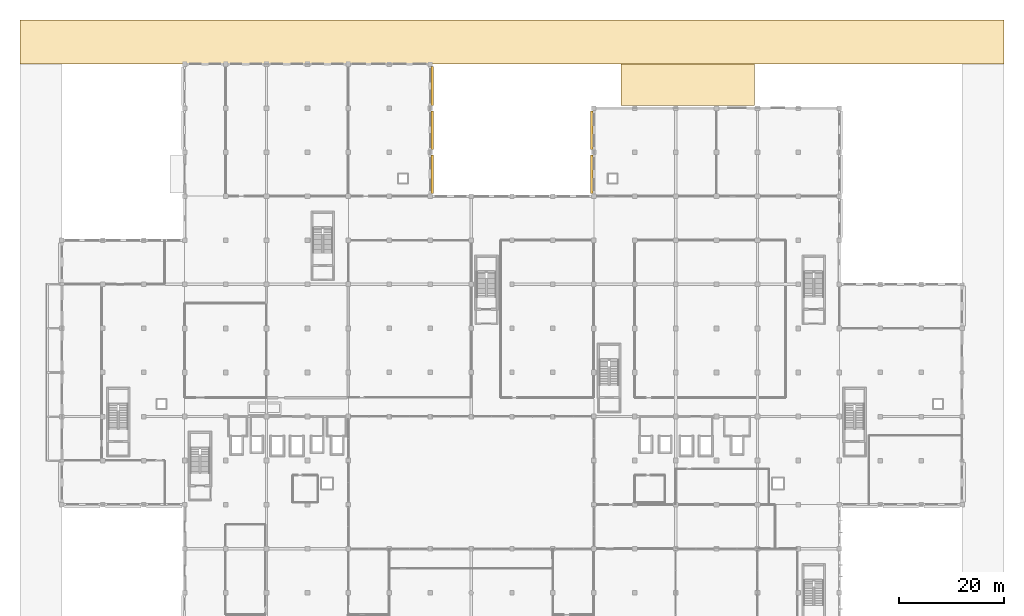
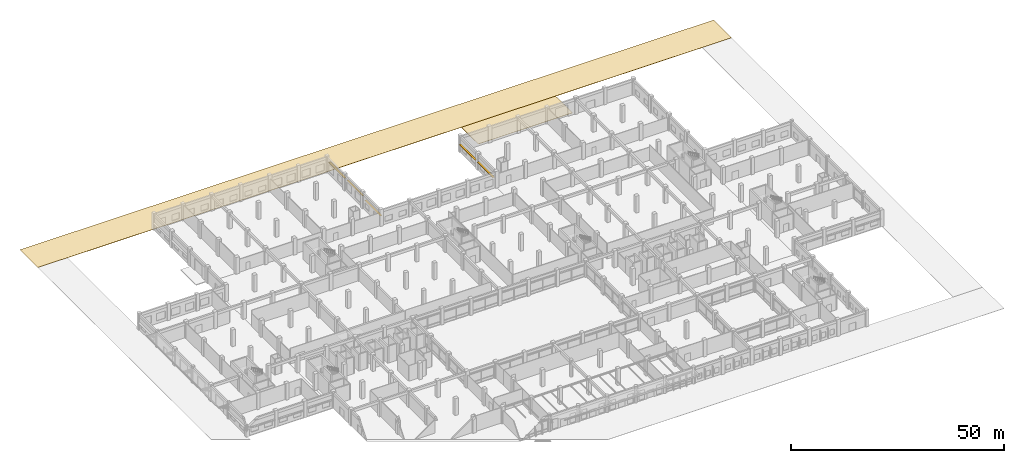
# One storey, part 70 of 74: 5 shading devices, 2 coverings.
"""IFC4 building model written with IfcOpenShell, lengths in metres."""

from ifc_helpers import new_model, si_unit, direction, frame, origin, origin_2d, place, context, subcontext, project, spatial, polyline, rectangle, outline, extrude, material, layer, layer_set, type_object, element, save


model = new_model("IFC4")

# Units and contexts
model_context = context("Model", 3, precision=1e-05, world=origin(), true_north=direction((0.0, 1.0)))
body_context = subcontext(model_context, "Body", "Model", "MODEL_VIEW")
ifc_project = project(units=[si_unit("LENGTHUNIT", "METRE"), si_unit("AREAUNIT", "SQUARE_METRE"), si_unit("VOLUMEUNIT", "CUBIC_METRE"), si_unit("PLANEANGLEUNIT", "RADIAN"), si_unit("MASSUNIT", "GRAM", prefix="KILO"), si_unit("THERMODYNAMICTEMPERATUREUNIT", "KELVIN"), si_unit("POWERUNIT", "WATT")], contexts=[model_context])

# Site, building, storey
site_placement = place(None, origin())
site = spatial("IfcSite", under=ifc_project, at=site_placement, CompositionType="ELEMENT")
building_placement = place(site_placement, origin())
building = spatial("IfcBuilding", under=site, at=building_placement, Name="Srebrne Nadtorze General Hospital", CompositionType="ELEMENT")
storey_placement = place(building_placement, origin())
storey = spatial("IfcBuildingStorey", under=building, at=storey_placement, Name="L00", CompositionType="ELEMENT", Elevation=0.0)

# Coverings
ifc_material_1 = material(Name="Concrete C35/45 precast", Category="concrete")
ifc_layer_1 = layer(ifc_material_1, 0.080078125)
ifc_layer_set_1 = layer_set([ifc_layer_1], Name="Concrete C35/45 precast")
covering_type = type_object("IfcCoveringType", Name="Granite civic forecourt and perimeter paving", PredefinedType="USERDEFINED", material=ifc_layer_set_1)
covering_1_placement = place(storey_placement, frame((0.0, 0.0, -0.080078125)))
element("IfcCovering", 1, at=covering_1_placement, inside=storey, type_object=covering_type, Name="Vehicle ramp yard apron paving", ObjectType="PAVING", PredefinedType="USERDEFINED", context=body_context, shape_type="SweptSolid", body=[
    extrude(outline(polyline([(106.54296875, 109.699951171875), (132.0, 109.699951171875), (132.0, 117.6201171875), (106.54296875, 117.6201171875), (106.54296875, 109.699951171875)])), origin(), (0.0, 0.0, 1.0), 0.080078125),
])
covering_2_placement = place(storey_placement, frame((0.0, 0.0, -0.080078125)))
element("IfcCovering", 2, at=covering_2_placement, inside=storey, type_object=covering_type, Name="Civic plaza and perimeter site access paving NORTH", ObjectType="PAVING", PredefinedType="USERDEFINED", context=body_context, shape_type="SweptSolid", body=[
    extrude(outline(polyline([(-8.0, 117.6201171875), (179.60009765625, 117.6201171875), (179.60009765625, 126.0), (-8.0, 126.0), (-8.0, 117.6201171875)])), origin(), (0.0, 0.0, 1.0), 0.080078125),
])

# Shading devices
ifc_material_2 = material(Name="Anodised Aluminium", Category="aluminium")
ifc_layer_2 = layer(ifc_material_2, 0.080078125)
ifc_layer_set_2 = layer_set([ifc_layer_2], Name="Anodised Aluminium")
shading_device_type = type_object("IfcShadingDeviceType", Name="Hisashi horizontal aluminium sunshade", PredefinedType="JALOUSIE", material=ifc_layer_set_2)
for number, where, z_axis, x_axis, name in (
    (3, (70.580078125, 96.60009765625, 2.219970703125), (0.0, 0.0, 1.0), (1.0, 0.0, 0.0), "Hisashi horizontal sunshade eave LV-032"),
    (4, (70.580078125, 105.0, 2.869873046875), (0.0, 0.0, 1.0), (1.0, 0.0, 0.0), "Hisashi horizontal sunshade eave LV-033"),
    (5, (70.580078125, 113.39990234375, 2.820068359375), (0.0, 0.0, 1.0), (1.0, 0.0, 0.0), "Hisashi horizontal sunshade eave LV-034"),
):
    element("IfcShadingDevice", number, at=place(storey_placement, frame(where, z_axis=z_axis, x_axis=x_axis)), inside=storey, type_object=shading_device_type, Name=name, PredefinedType="JALOUSIE", context=body_context, shape_type="SweptSolid", body=[
        extrude(rectangle(XDim=0.47998046875, YDim=7.389892578125, at=origin_2d()), origin(), (0.0, 0.0, 1.0), 0.080078125),
    ])
for number, where, z_axis, x_axis, name in (
    (6, (101.02001953125, 96.60009765625, 2.52001953125), (0.0, 0.0, 1.0), (1.0, 0.0, 0.0), "Hisashi horizontal sunshade eave LV-035"),
    (7, (101.02001953125, 105.0, 2.419921875), (0.0, 0.0, 1.0), (1.0, 0.0, 0.0), "Hisashi horizontal sunshade eave LV-036"),
):
    element("IfcShadingDevice", number, at=place(storey_placement, frame(where, z_axis=z_axis, x_axis=x_axis)), inside=storey, type_object=shading_device_type, Name=name, PredefinedType="JALOUSIE", context=body_context, shape_type="SweptSolid", body=[
        extrude(rectangle(XDim=0.47998046875, YDim=7.340087890625, at=origin_2d()), origin(), (0.0, 0.0, 1.0), 0.080078125),
    ])

save(model, "model.ifc")
